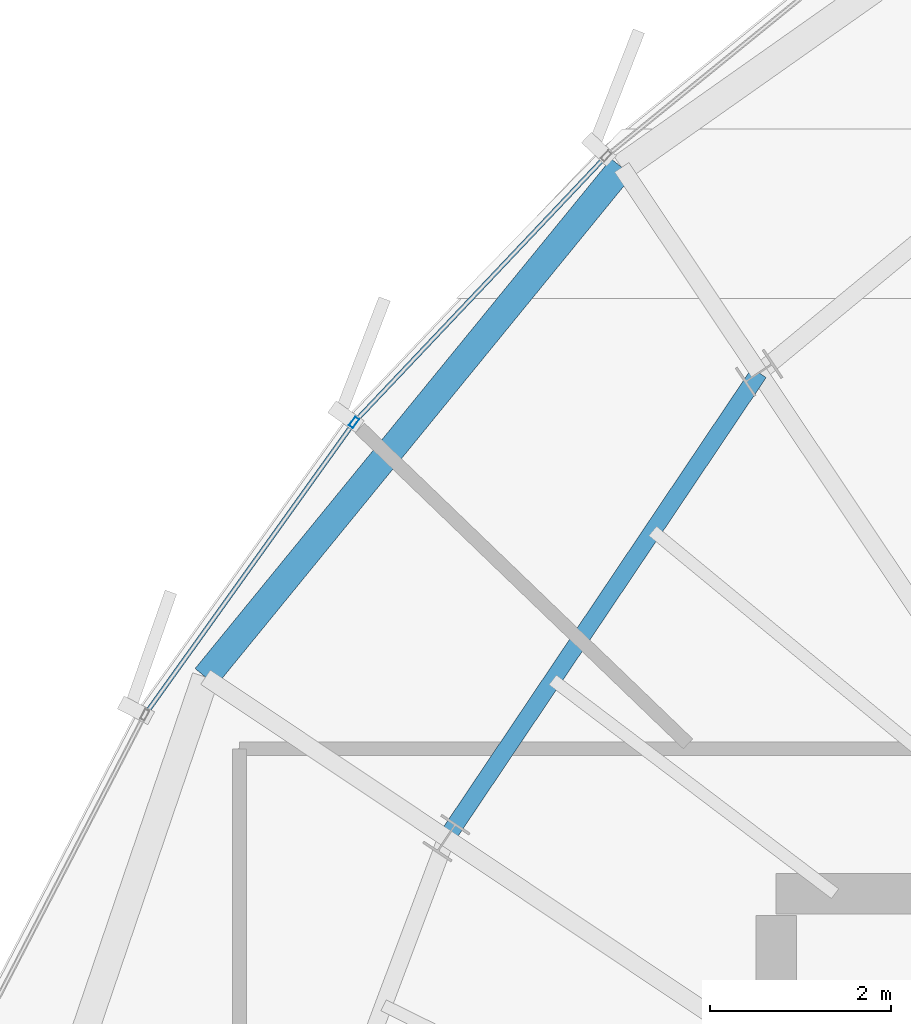
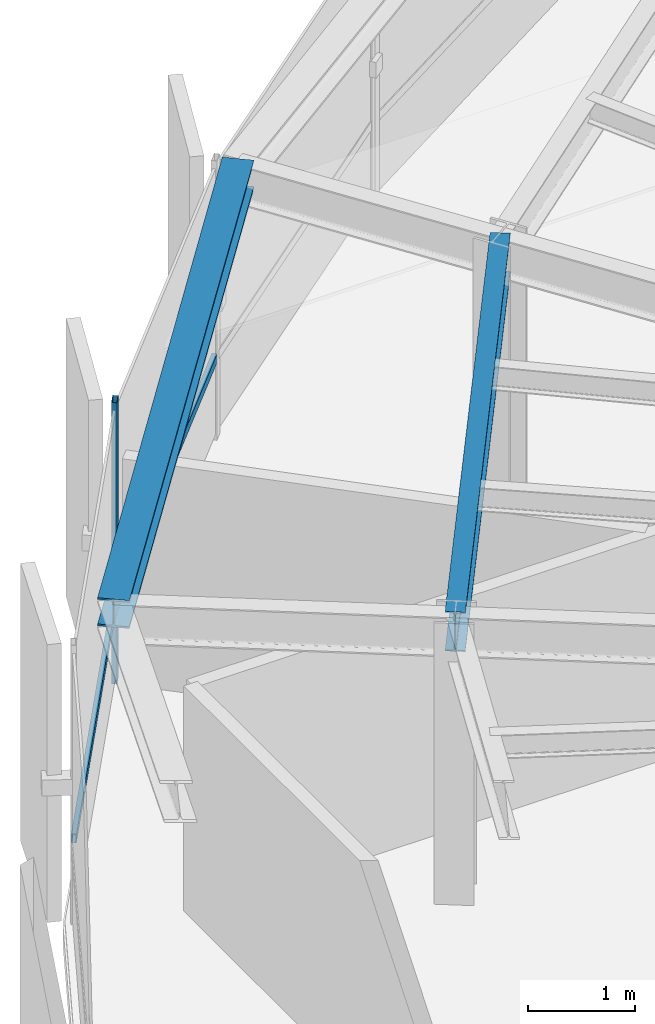
# One storey, part 16 of 31: 3 members, 2 beams, 1 element without a shape of its own.
"""IFC4 building model written with IfcOpenShell, lengths in metres."""

import ifcopenshell
import ifcopenshell.guid

model = None  # the IFC model being written
_history = None  # IfcOwnerHistory: only IFC2X3 demands one
_inside = {}  # id of a spatial element -> (the spatial element, [elements in it])
_under = {}  # id of a project, library or spatial element -> (it, [spatial elements below it])
_declared = {}  # id of a project -> (the project, [libraries it declares])
_typed = {}  # id of a type object -> (the type object, [elements of that type])
_made_of = {}  # id of a material, layer set ... -> (it, [elements and type objects made of it])


def new_model(schema):
    """Start an empty IFC model of exactly this schema.

    Asked for "IFC4X3", IfcOpenShell would pick the latest addendum, in which some entities
    have other attributes; the version numbers below select the first issue.
    IFC2X3 requires an IfcOwnerHistory on every rooted entity: one is made here for all.
    """
    global model, _history
    if schema == "IFC4X3":
        model = ifcopenshell.file(schema_version=(4, 3, 0, 0))
    else:
        model = ifcopenshell.file(schema=schema)
    _inside.clear()
    _under.clear()
    _declared.clear()
    _typed.clear()
    _made_of.clear()
    _history = None
    if model.schema == "IFC2X3":
        org = make("IfcOrganization", Name="unknown")
        user = make(
            "IfcPersonAndOrganization",
            ThePerson=make("IfcPerson", FamilyName="unknown"),
            TheOrganization=org,
        )
        app = make(
            "IfcApplication",
            ApplicationDeveloper=org,
            Version="unknown",
            ApplicationFullName="unknown",
            ApplicationIdentifier="unknown",
        )
        _history = make(
            "IfcOwnerHistory",
            OwningUser=user,
            OwningApplication=app,
            ChangeAction="ADDED",
            CreationDate=0,
        )
    return model


def make(cls, **values):
    """One entity of the class cls with the attributes given. An attribute that is None is left unset."""
    return model.create_entity(
        cls, **{name: value for name, value in values.items() if value is not None}
    )


def rooted(cls, **values):
    """An entity with a GlobalId (a new one), such as an element, a storey or a relation."""
    return make(cls, GlobalId=ifcopenshell.guid.new(), OwnerHistory=_history, **values)


def si_unit(unit_type, name, prefix=None):
    """IfcSIUnit, for example si_unit("LENGTHUNIT", "METRE", prefix="MILLI")."""
    return make("IfcSIUnit", UnitType=unit_type, Prefix=prefix, Name=name)


def assignment(units):
    """IfcUnitAssignment: the units of a project."""
    return None if units is None else make("IfcUnitAssignment", Units=units)


def point(xyz):
    """IfcCartesianPoint."""
    return None if xyz is None else make("IfcCartesianPoint", Coordinates=xyz)


def direction(xyz):
    """IfcDirection."""
    return None if xyz is None else make("IfcDirection", DirectionRatios=xyz)


def frame(location, z_axis=None, x_axis=None):
    """IfcAxis2Placement3D, a coordinate frame: its origin and axes. An axis left out is left unset."""
    return make(
        "IfcAxis2Placement3D",
        Location=point(location),
        Axis=direction(z_axis),
        RefDirection=direction(x_axis),
    )


def frame_2d(location, x_axis=None):
    """IfcAxis2Placement2D, a coordinate frame in the plane: its origin and x axis."""
    return make(
        "IfcAxis2Placement2D", Location=point(location), RefDirection=direction(x_axis)
    )


def origin():
    """The frame at (0, 0, 0) with its axes left unset."""
    return frame((0.0, 0.0, 0.0))


def origin_2d():
    """The frame at (0, 0) in the plane with its x axis left unset."""
    return frame_2d((0.0, 0.0))


def place(relative_to, where):
    """IfcLocalPlacement: puts the frame where relative to a parent placement (None: the world)."""
    return make(
        "IfcLocalPlacement", PlacementRelTo=relative_to, RelativePlacement=where
    )


def context(
    kind, dimensions, precision=None, world=None, true_north=None, identifier=None
):
    """IfcGeometricRepresentationContext, for example the 3D "Model" context."""
    return make(
        "IfcGeometricRepresentationContext",
        ContextIdentifier=identifier,
        ContextType=kind,
        CoordinateSpaceDimension=dimensions,
        Precision=precision,
        WorldCoordinateSystem=world,
        TrueNorth=true_north,
    )


def subcontext(parent, identifier, kind, view, scale=None):
    """IfcGeometricRepresentationSubContext, for example "Body" below "Model"."""
    return make(
        "IfcGeometricRepresentationSubContext",
        ContextIdentifier=identifier,
        ContextType=kind,
        ParentContext=parent,
        TargetScale=scale,
        TargetView=view,
    )


def project(units=None, contexts=None):
    """IfcProject with its units and contexts."""
    return rooted(
        "IfcProject",
        Name="project",
        RepresentationContexts=contexts,
        UnitsInContext=assignment(units),
    )


def spatial(cls, under=None, at=None, **own):
    """A site, building, storey or space (cls), placed at a placement, below another one or the project."""
    s = rooted(cls, ObjectPlacement=at, **own)
    if under is not None:
        _under.setdefault(under.id(), (under, []))[1].append(s)
    return s


def profile(cls, at=None, kind="AREA", **sizes):
    """A parametric profile (cls). Its sizes go by their IFC names, for example OverallWidth=200.0."""
    return make(cls, ProfileType=kind, Position=at, **sizes)


def hollow_rectangle(**sizes):
    """IfcRectangleHollowProfileDef."""
    return profile("IfcRectangleHollowProfileDef", **sizes)


def i_section(**sizes):
    """IfcIShapeProfileDef."""
    return profile("IfcIShapeProfileDef", **sizes)


def extrude(swept, where, along, depth):
    """IfcExtrudedAreaSolid: the profile swept, set in the frame where, extruded along a direction by depth."""
    return make(
        "IfcExtrudedAreaSolid",
        SweptArea=swept,
        Position=where,
        ExtrudedDirection=direction(along),
        Depth=depth,
    )


def shape(context_of_items, identifier, shape_type, items):
    """IfcShapeRepresentation: the items that make up one representation, for example the "Body"."""
    return make(
        "IfcShapeRepresentation",
        ContextOfItems=context_of_items,
        RepresentationIdentifier=identifier,
        RepresentationType=shape_type,
        Items=items,
    )


def source(mapping_origin, context_of_items, identifier, shape_type, items):
    """IfcRepresentationMap: a shape defined once, which mapped items show again and again."""
    return make(
        "IfcRepresentationMap",
        MappingOrigin=mapping_origin,
        MappedRepresentation=shape(context_of_items, identifier, shape_type, items),
    )


def transform(
    local_origin,
    x_axis=None,
    y_axis=None,
    z_axis=None,
    scale=None,
    scale2=None,
    scale3=None,
    uniform=True,
):
    """IfcCartesianTransformationOperator3D, or its non-uniform kind. x_axis, y_axis, z_axis: its Axis1, 2, 3."""
    if uniform:
        return make(
            "IfcCartesianTransformationOperator3D",
            Axis1=direction(x_axis),
            Axis2=direction(y_axis),
            LocalOrigin=point(local_origin),
            Scale=scale,
            Axis3=direction(z_axis),
        )
    return make(
        "IfcCartesianTransformationOperator3DnonUniform",
        Axis1=direction(x_axis),
        Axis2=direction(y_axis),
        LocalOrigin=point(local_origin),
        Scale=scale,
        Axis3=direction(z_axis),
        Scale2=scale2,
        Scale3=scale3,
    )


def mapped(mapping_source, mapping_target):
    """IfcMappedItem: shows the shape of a source again, moved by a transform."""
    return make(
        "IfcMappedItem", MappingSource=mapping_source, MappingTarget=mapping_target
    )


def material(Name=None, Category=None):
    """IfcMaterial."""
    return make("IfcMaterial", Name=Name, Category=Category)


def layer(
    of_material, thickness, ventilated=None, Name=None, Category=None, Priority=None
):
    """IfcMaterialLayer: one layer of a wall or slab, of a material (None: an air gap)."""
    return make(
        "IfcMaterialLayer",
        Material=of_material,
        LayerThickness=thickness,
        IsVentilated=ventilated,
        Name=Name,
        Category=Category,
        Priority=Priority,
    )


def layer_set(layers, Name=None):
    """IfcMaterialLayerSet."""
    return make("IfcMaterialLayerSet", MaterialLayers=layers, LayerSetName=Name)


def material_profile(
    of_material, cross_section, Name=None, Category=None, Priority=None
):
    """IfcMaterialProfile: a cross section and its material."""
    return make(
        "IfcMaterialProfile",
        Name=Name,
        Material=of_material,
        Profile=cross_section,
        Priority=Priority,
        Category=Category,
    )


def profile_set(profiles, Name=None, composite=None):
    """IfcMaterialProfileSet."""
    return make(
        "IfcMaterialProfileSet",
        Name=Name,
        MaterialProfiles=profiles,
        CompositeProfile=composite,
    )


def made_of(thing, what):
    """Note that an element or type object is made of a material, layer set ...; save() writes the relation."""
    if what is not None:
        _made_of.setdefault(what.id(), (what, []))[1].append(thing)
    return thing


def type_object(cls, material=None, **own):
    """A type object (cls), such as IfcWallType, which elements share."""
    return made_of(rooted(cls, **own), material)


def element(
    cls,
    number,
    at=None,
    inside=None,
    cuts=None,
    type_object=None,
    material=None,
    context=None,
    identifier="Body",
    shape_type=None,
    held_by="IfcProductDefinitionShape",
    body=None,
    shapes=None,
    **own,
):
    """One element of the class cls, such as IfcWall. Its Tag is "e" and its number.

    at: its placement. inside: the storey or other place that contains it. cuts: it is an
    opening in that element (IfcRelVoidsElement). A single representation is given by context,
    identifier, shape_type and body (its items); several are given by shapes. held_by: the class
    of the entity that holds the representations. save() writes the other relations.
    """
    e = rooted(cls, Tag="e%d" % number, ObjectPlacement=at, **own)
    if body is not None:
        shapes = [shape(context, identifier, shape_type, body)]
    if shapes is not None:
        e.Representation = make(held_by, Representations=shapes)
    if inside is not None:
        _inside.setdefault(inside.id(), (inside, []))[1].append(e)
    if cuts is not None:
        rooted(
            "IfcRelVoidsElement", RelatingBuildingElement=cuts, RelatedOpeningElement=e
        )
    if type_object is not None:
        _typed.setdefault(type_object.id(), (type_object, []))[1].append(e)
    return made_of(e, material)


def aggregate(whole, parts):
    """IfcRelAggregates: a whole, such as a stair, and the parts it consists of."""
    return rooted("IfcRelAggregates", RelatingObject=whole, RelatedObjects=parts)


def save(model, path):
    """Write the relations noted so far, then the file.

    IfcRelAggregates (storeys below a building ...), IfcRelContainedInSpatialStructure (elements
    in a storey), IfcRelDefinesByType, IfcRelAssociatesMaterial and IfcRelDeclares: one each for
    every whole, place, type object, material and project.
    """
    for whole, parts in _under.values():
        aggregate(whole, parts)
    for where, things in _inside.values():
        rooted(
            "IfcRelContainedInSpatialStructure",
            RelatedElements=things,
            RelatingStructure=where,
        )
    for kind, things in _typed.values():
        rooted("IfcRelDefinesByType", RelatedObjects=things, RelatingType=kind)
    for what, things in _made_of.values():
        rooted("IfcRelAssociatesMaterial", RelatedObjects=things, RelatingMaterial=what)
    for by, libraries in _declared.values():
        rooted("IfcRelDeclares", RelatingContext=by, RelatedDefinitions=libraries)
    model.write(path)


model = new_model("IFC4")

# Units and contexts
model_context = context("Model", 3, precision=1e-05, world=origin(), true_north=direction((0.0, 1.0)))
body_context = subcontext(model_context, "Body", "Model", "MODEL_VIEW")
ifc_project = project(units=[si_unit("LENGTHUNIT", "METRE"), si_unit("AREAUNIT", "SQUARE_METRE"), si_unit("VOLUMEUNIT", "CUBIC_METRE"), si_unit("PLANEANGLEUNIT", "RADIAN"), si_unit("MASSUNIT", "GRAM", prefix="KILO"), si_unit("THERMODYNAMICTEMPERATUREUNIT", "KELVIN")], contexts=[model_context])

# Site, building, storey
site_placement = place(None, origin())
site = spatial("IfcSite", under=ifc_project, at=site_placement, CompositionType="ELEMENT")
building_placement = place(site_placement, origin())
building = spatial("IfcBuilding", under=site, at=building_placement, Name="Kethvar Cultural Tower", CompositionType="ELEMENT")
storey_placement = place(building_placement, frame((0.0, 0.0, 269.800048828125)))
storey = spatial("IfcBuildingStorey", under=building, at=storey_placement, Name="L71", CompositionType="ELEMENT", Elevation=269.800048828125)

# Beams
ifc_material_1 = material(Name="Steel S355J2", Category="steel")
ifc_material_profile_1 = material_profile(ifc_material_1, i_section(OverallWidth=0.18994140625, OverallDepth=0.449951171875, WebThickness=0.009521484375, FlangeThickness=0.0146484375, FilletRadius=0.02099609375, at=origin_2d()), Name="Steel S355J2 — IPE450")
ifc_profile_set_1 = profile_set([ifc_material_profile_1], Name="Steel S355J2 — IPE450")
beam_type_1 = type_object("IfcBeamType", Name="BM-IPE450", PredefinedType="BEAM", material=ifc_profile_set_1)
shared_shape_1 = source(origin(), body_context, "Body", "SweptSolid", [
    extrude(i_section(OverallWidth=0.18994140625, OverallDepth=0.449951171875, WebThickness=0.009521484375, FlangeThickness=0.0146484375, FilletRadius=0.02099609375, at=origin_2d()), origin(), (0.0, 0.0, 1.0), 6.192626953125),
])
beam_1_placement = place(storey_placement, frame((37.8095703125, 41.255126953125, 2.98291015625), z_axis=(-0.557698912025, -0.830043326295, 0.0), x_axis=(0.830043326295, -0.557698912025, 0.0)))
element("IfcBeam", 1, at=beam_1_placement, inside=storey, type_object=beam_type_1, Name="L71 Column Ring Tie Beam CR-06", PredefinedType="BEAM", context=body_context, shape_type="MappedRepresentation", body=[
    mapped(shared_shape_1, transform((0.0, 0.0, 0.0), scale=1.0)),
])
ifc_material_profile_2 = material_profile(ifc_material_1, i_section(OverallWidth=0.300048828125, OverallDepth=0.320068359375, WebThickness=0.011474609375, FlangeThickness=0.0205078125, FilletRadius=0.027099609375, at=origin_2d()), Name="Steel S355J2 — HEB320")
ifc_profile_set_2 = profile_set([ifc_material_profile_2], Name="Steel S355J2 — HEB320")
beam_type_2 = type_object("IfcBeamType", Name="BM-SP320", PredefinedType="SPANDREL", material=ifc_profile_set_2)
shared_shape_2 = source(origin(), body_context, "Body", "SweptSolid", [
    extrude(i_section(OverallWidth=0.300048828125, OverallDepth=0.320068359375, WebThickness=0.011474609375, FlangeThickness=0.0205078125, FilletRadius=0.027099609375, at=origin_2d()), origin(), (0.0, 0.0, 1.0), 7.270751953125),
])
beam_2_placement = place(storey_placement, frame((36.29248046875, 43.525390625, 3.0478515625), z_axis=(-0.632290125929, -0.774731693332, 0.0), x_axis=(0.774731693332, -0.632290125929, 0.0)))
element("IfcBeam", 2, at=beam_2_placement, inside=storey, type_object=beam_type_2, Name="L71 Perimeter Spandrel Beam SP-06", PredefinedType="SPANDREL", context=body_context, shape_type="MappedRepresentation", body=[
    mapped(shared_shape_2, transform((0.0, 0.0, 0.0), scale=1.0)),
])

# Curtain wall, members
ifc_material_2 = material(Name="Aluminium 6063-T6", Category="aluminium")
ifc_layer = layer(ifc_material_2, 0.179931640625, Name="Aluminium 6063-T6", Category="aluminium")
ifc_layer_set = layer_set([ifc_layer], Name="Aluminium 6063-T6 (180 mm)")
curtain_wall_type = type_object("IfcCurtainWallType", Name="CW-SYS-05-Z56", PredefinedType="NOTDEFINED", material=ifc_layer_set)
curtain_wall_placement = place(storey_placement, origin())
curtain_wall = element("IfcCurtainWall", 3, at=curtain_wall_placement, inside=storey, type_object=curtain_wall_type, Name="L71 Curtain Wall Run 02", PredefinedType="NOTDEFINED")
ifc_material_profile_3 = material_profile(ifc_material_2, hollow_rectangle(XDim=0.054931640625, YDim=0.1201171875, WallThickness=0.00390625, at=origin_2d()), Name="Aluminium 6063-T6 — RHS120x55x4")
ifc_profile_set_3 = profile_set([ifc_material_profile_3], Name="Aluminium 6063-T6 — RHS120x55x4")
member_type_1 = type_object("IfcMemberType", Name="CW-SYS-05-Z56-MUL", PredefinedType="MULLION", material=ifc_profile_set_3)
shared_shape_3 = source(origin(), body_context, "Body", "SweptSolid", [
    extrude(hollow_rectangle(XDim=0.054931640625, YDim=0.1201171875, WallThickness=0.00390625, at=origin_2d()), origin(), (0.0, 0.0, 1.0), 3.2099609375),
])
member_1_placement = place(storey_placement, frame((33.335205078125, 40.706787109375, 0.0), z_axis=(0.0, 0.0, 1.0), x_axis=(0.813446056589, -0.581640363987, 0.0)))
member_1 = element("IfcMember", 4, at=member_1_placement, type_object=member_type_1, Name="CW-L71-R02 Mullion 3", PredefinedType="MULLION", context=body_context, shape_type="MappedRepresentation", body=[
    mapped(shared_shape_3, transform((0.0, 0.0, 0.0), scale=1.0)),
])
ifc_material_profile_4 = material_profile(ifc_material_2, hollow_rectangle(XDim=0.050048828125, YDim=0.10009765625, WallThickness=0.00390625, at=origin_2d()), Name="Aluminium 6063-T6 — RHS100x50x4")
ifc_profile_set_4 = profile_set([ifc_material_profile_4], Name="Aluminium 6063-T6 — RHS100x50x4")
member_type_2 = type_object("IfcMemberType", Name="CW-SYS-05-Z56-TRN", PredefinedType="USERDEFINED", material=ifc_profile_set_4)
shared_shape_4 = source(origin(), body_context, "Body", "SweptSolid", [
    extrude(hollow_rectangle(XDim=0.050048828125, YDim=0.10009765625, WallThickness=0.00390625, at=origin_2d()), origin(), (0.0, 0.0, 1.0), 3.986328125),
])
member_2_placement = place(storey_placement, frame((36.093505859375, 43.62060546875, 0.949951171875), z_axis=(-0.687299436638, -0.72637420411, 0.0), x_axis=(0.72637420411, -0.687299436638, 0.0)))
member_2 = element("IfcMember", 5, at=member_2_placement, type_object=member_type_2, Name="CW-L71-R02 Transom 2", ObjectType="TRANSOM", PredefinedType="USERDEFINED", context=body_context, shape_type="MappedRepresentation", body=[
    mapped(shared_shape_4, transform((0.0, 0.0, 0.0), scale=1.0)),
])
shared_shape_5 = source(origin(), body_context, "Body", "SweptSolid", [
    extrude(hollow_rectangle(XDim=0.050048828125, YDim=0.10009765625, WallThickness=0.00390625, at=origin_2d()), origin(), (0.0, 0.0, 1.0), 3.907470703125),
])
member_3_placement = place(storey_placement, frame((33.31201171875, 40.674560546875, 0.949951171875), z_axis=(-0.581640030677, -0.813446294917, 0.0), x_axis=(0.813446294917, -0.581640030677, 0.0)))
member_3 = element("IfcMember", 6, at=member_3_placement, type_object=member_type_2, Name="CW-L71-R02 Transom 3", ObjectType="TRANSOM", PredefinedType="USERDEFINED", context=body_context, shape_type="MappedRepresentation", body=[
    mapped(shared_shape_5, transform((0.0, 0.0, 0.0), scale=1.0)),
])
aggregate(curtain_wall, [member_1, member_2, member_3])

save(model, "model.ifc")
